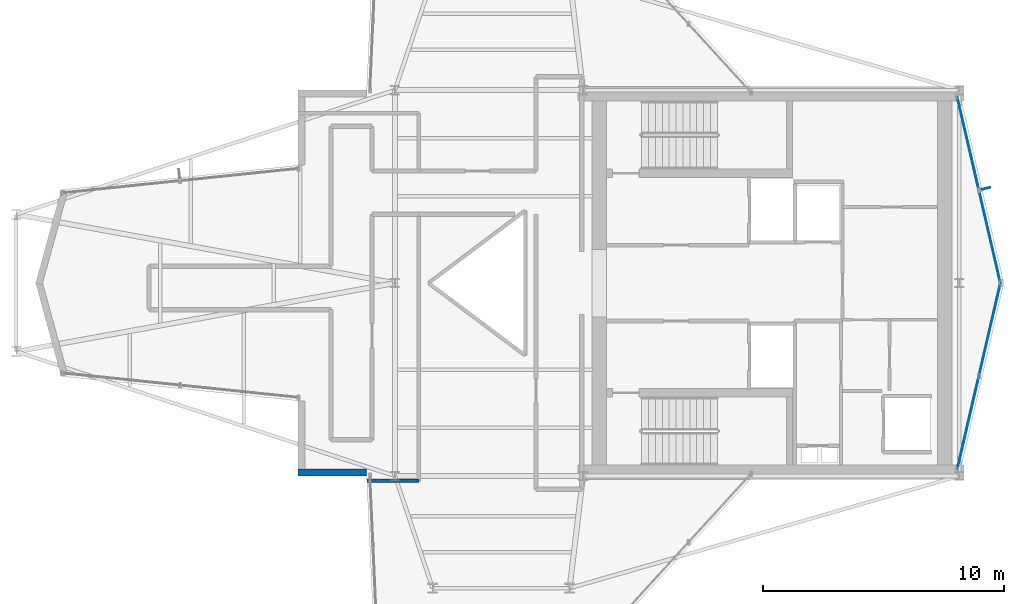
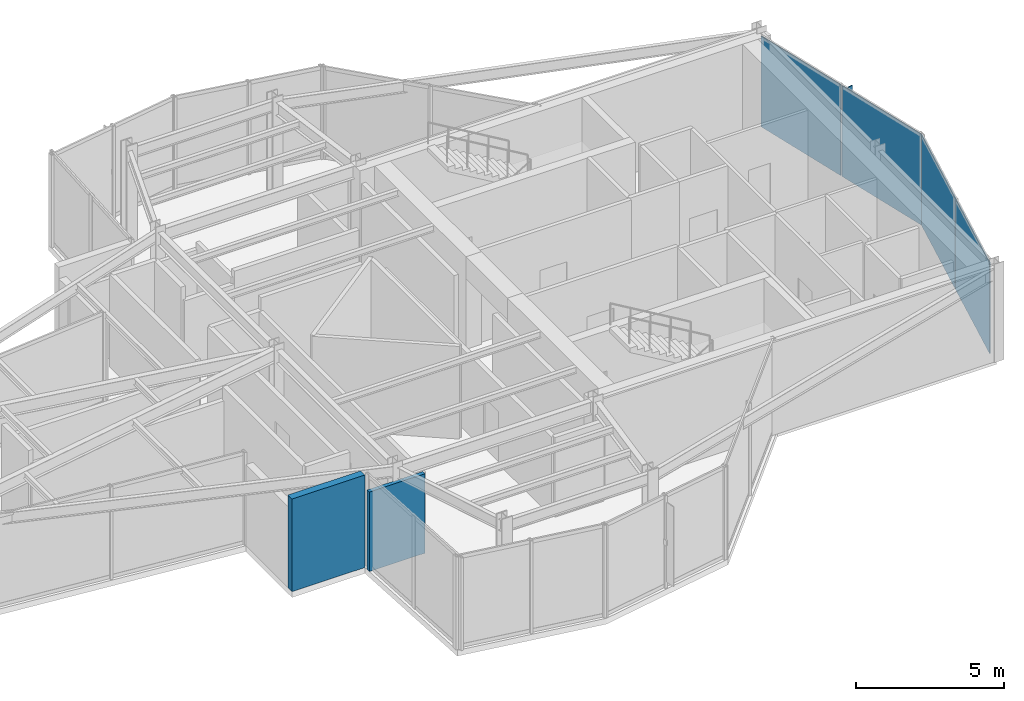
# One storey, part 11 of 14: 5 plates, 2 walls, 2 elements without a shape of their own.
"""IFC4 building model written with IfcOpenShell, lengths in metres."""

import ifcopenshell
import ifcopenshell.guid

model = None  # the IFC model being written
_history = None  # IfcOwnerHistory: only IFC2X3 demands one
_inside = {}  # id of a spatial element -> (the spatial element, [elements in it])
_under = {}  # id of a project, library or spatial element -> (it, [spatial elements below it])
_declared = {}  # id of a project -> (the project, [libraries it declares])
_typed = {}  # id of a type object -> (the type object, [elements of that type])
_made_of = {}  # id of a material, layer set ... -> (it, [elements and type objects made of it])


def new_model(schema):
    """Start an empty IFC model of exactly this schema.

    Asked for "IFC4X3", IfcOpenShell would pick the latest addendum, in which some entities
    have other attributes; the version numbers below select the first issue.
    IFC2X3 requires an IfcOwnerHistory on every rooted entity: one is made here for all.
    """
    global model, _history
    if schema == "IFC4X3":
        model = ifcopenshell.file(schema_version=(4, 3, 0, 0))
    else:
        model = ifcopenshell.file(schema=schema)
    _inside.clear()
    _under.clear()
    _declared.clear()
    _typed.clear()
    _made_of.clear()
    _history = None
    if model.schema == "IFC2X3":
        org = make("IfcOrganization", Name="unknown")
        user = make(
            "IfcPersonAndOrganization",
            ThePerson=make("IfcPerson", FamilyName="unknown"),
            TheOrganization=org,
        )
        app = make(
            "IfcApplication",
            ApplicationDeveloper=org,
            Version="unknown",
            ApplicationFullName="unknown",
            ApplicationIdentifier="unknown",
        )
        _history = make(
            "IfcOwnerHistory",
            OwningUser=user,
            OwningApplication=app,
            ChangeAction="ADDED",
            CreationDate=0,
        )
    return model


def make(cls, **values):
    """One entity of the class cls with the attributes given. An attribute that is None is left unset."""
    return model.create_entity(
        cls, **{name: value for name, value in values.items() if value is not None}
    )


def rooted(cls, **values):
    """An entity with a GlobalId (a new one), such as an element, a storey or a relation."""
    return make(cls, GlobalId=ifcopenshell.guid.new(), OwnerHistory=_history, **values)


def si_unit(unit_type, name, prefix=None):
    """IfcSIUnit, for example si_unit("LENGTHUNIT", "METRE", prefix="MILLI")."""
    return make("IfcSIUnit", UnitType=unit_type, Prefix=prefix, Name=name)


def assignment(units):
    """IfcUnitAssignment: the units of a project."""
    return None if units is None else make("IfcUnitAssignment", Units=units)


def point(xyz):
    """IfcCartesianPoint."""
    return None if xyz is None else make("IfcCartesianPoint", Coordinates=xyz)


def direction(xyz):
    """IfcDirection."""
    return None if xyz is None else make("IfcDirection", DirectionRatios=xyz)


def frame(location, z_axis=None, x_axis=None):
    """IfcAxis2Placement3D, a coordinate frame: its origin and axes. An axis left out is left unset."""
    return make(
        "IfcAxis2Placement3D",
        Location=point(location),
        Axis=direction(z_axis),
        RefDirection=direction(x_axis),
    )


def frame_2d(location, x_axis=None):
    """IfcAxis2Placement2D, a coordinate frame in the plane: its origin and x axis."""
    return make(
        "IfcAxis2Placement2D", Location=point(location), RefDirection=direction(x_axis)
    )


def origin():
    """The frame at (0, 0, 0) with its axes left unset."""
    return frame((0.0, 0.0, 0.0))


def origin_2d():
    """The frame at (0, 0) in the plane with its x axis left unset."""
    return frame_2d((0.0, 0.0))


def place(relative_to, where):
    """IfcLocalPlacement: puts the frame where relative to a parent placement (None: the world)."""
    return make(
        "IfcLocalPlacement", PlacementRelTo=relative_to, RelativePlacement=where
    )


def context(
    kind, dimensions, precision=None, world=None, true_north=None, identifier=None
):
    """IfcGeometricRepresentationContext, for example the 3D "Model" context."""
    return make(
        "IfcGeometricRepresentationContext",
        ContextIdentifier=identifier,
        ContextType=kind,
        CoordinateSpaceDimension=dimensions,
        Precision=precision,
        WorldCoordinateSystem=world,
        TrueNorth=true_north,
    )


def subcontext(parent, identifier, kind, view, scale=None):
    """IfcGeometricRepresentationSubContext, for example "Body" below "Model"."""
    return make(
        "IfcGeometricRepresentationSubContext",
        ContextIdentifier=identifier,
        ContextType=kind,
        ParentContext=parent,
        TargetScale=scale,
        TargetView=view,
    )


def project(units=None, contexts=None):
    """IfcProject with its units and contexts."""
    return rooted(
        "IfcProject",
        Name="project",
        RepresentationContexts=contexts,
        UnitsInContext=assignment(units),
    )


def spatial(cls, under=None, at=None, **own):
    """A site, building, storey or space (cls), placed at a placement, below another one or the project."""
    s = rooted(cls, ObjectPlacement=at, **own)
    if under is not None:
        _under.setdefault(under.id(), (under, []))[1].append(s)
    return s


def profile(cls, at=None, kind="AREA", **sizes):
    """A parametric profile (cls). Its sizes go by their IFC names, for example OverallWidth=200.0."""
    return make(cls, ProfileType=kind, Position=at, **sizes)


def rectangle(**sizes):
    """IfcRectangleProfileDef."""
    return profile("IfcRectangleProfileDef", **sizes)


def extrude(swept, where, along, depth):
    """IfcExtrudedAreaSolid: the profile swept, set in the frame where, extruded along a direction by depth."""
    return make(
        "IfcExtrudedAreaSolid",
        SweptArea=swept,
        Position=where,
        ExtrudedDirection=direction(along),
        Depth=depth,
    )


def shape(context_of_items, identifier, shape_type, items):
    """IfcShapeRepresentation: the items that make up one representation, for example the "Body"."""
    return make(
        "IfcShapeRepresentation",
        ContextOfItems=context_of_items,
        RepresentationIdentifier=identifier,
        RepresentationType=shape_type,
        Items=items,
    )


def material(Name=None, Category=None):
    """IfcMaterial."""
    return make("IfcMaterial", Name=Name, Category=Category)


def layer(
    of_material, thickness, ventilated=None, Name=None, Category=None, Priority=None
):
    """IfcMaterialLayer: one layer of a wall or slab, of a material (None: an air gap)."""
    return make(
        "IfcMaterialLayer",
        Material=of_material,
        LayerThickness=thickness,
        IsVentilated=ventilated,
        Name=Name,
        Category=Category,
        Priority=Priority,
    )


def layer_set(layers, Name=None):
    """IfcMaterialLayerSet."""
    return make("IfcMaterialLayerSet", MaterialLayers=layers, LayerSetName=Name)


def made_of(thing, what):
    """Note that an element or type object is made of a material, layer set ...; save() writes the relation."""
    if what is not None:
        _made_of.setdefault(what.id(), (what, []))[1].append(thing)
    return thing


def type_object(cls, material=None, **own):
    """A type object (cls), such as IfcWallType, which elements share."""
    return made_of(rooted(cls, **own), material)


def element(
    cls,
    number,
    at=None,
    inside=None,
    cuts=None,
    type_object=None,
    material=None,
    context=None,
    identifier="Body",
    shape_type=None,
    held_by="IfcProductDefinitionShape",
    body=None,
    shapes=None,
    **own,
):
    """One element of the class cls, such as IfcWall. Its Tag is "e" and its number.

    at: its placement. inside: the storey or other place that contains it. cuts: it is an
    opening in that element (IfcRelVoidsElement). A single representation is given by context,
    identifier, shape_type and body (its items); several are given by shapes. held_by: the class
    of the entity that holds the representations. save() writes the other relations.
    """
    e = rooted(cls, Tag="e%d" % number, ObjectPlacement=at, **own)
    if body is not None:
        shapes = [shape(context, identifier, shape_type, body)]
    if shapes is not None:
        e.Representation = make(held_by, Representations=shapes)
    if inside is not None:
        _inside.setdefault(inside.id(), (inside, []))[1].append(e)
    if cuts is not None:
        rooted(
            "IfcRelVoidsElement", RelatingBuildingElement=cuts, RelatedOpeningElement=e
        )
    if type_object is not None:
        _typed.setdefault(type_object.id(), (type_object, []))[1].append(e)
    return made_of(e, material)


def aggregate(whole, parts):
    """IfcRelAggregates: a whole, such as a stair, and the parts it consists of."""
    return rooted("IfcRelAggregates", RelatingObject=whole, RelatedObjects=parts)


def save(model, path):
    """Write the relations noted so far, then the file.

    IfcRelAggregates (storeys below a building ...), IfcRelContainedInSpatialStructure (elements
    in a storey), IfcRelDefinesByType, IfcRelAssociatesMaterial and IfcRelDeclares: one each for
    every whole, place, type object, material and project.
    """
    for whole, parts in _under.values():
        aggregate(whole, parts)
    for where, things in _inside.values():
        rooted(
            "IfcRelContainedInSpatialStructure",
            RelatedElements=things,
            RelatingStructure=where,
        )
    for kind, things in _typed.values():
        rooted("IfcRelDefinesByType", RelatedObjects=things, RelatingType=kind)
    for what, things in _made_of.values():
        rooted("IfcRelAssociatesMaterial", RelatedObjects=things, RelatingMaterial=what)
    for by, libraries in _declared.values():
        rooted("IfcRelDeclares", RelatingContext=by, RelatedDefinitions=libraries)
    model.write(path)


model = new_model("IFC4")

# Units and contexts
model_context = context("Model", 3, precision=1e-05, world=origin(), true_north=direction((0.0, 1.0)))
body_context = subcontext(model_context, "Body", "Model", "MODEL_VIEW")
ifc_project = project(units=[si_unit("LENGTHUNIT", "METRE"), si_unit("AREAUNIT", "SQUARE_METRE"), si_unit("VOLUMEUNIT", "CUBIC_METRE"), si_unit("PLANEANGLEUNIT", "RADIAN"), si_unit("MASSUNIT", "GRAM", prefix="KILO")], contexts=[model_context])

# Site, building, storey
site_placement = place(None, origin())
site = spatial("IfcSite", under=ifc_project, at=site_placement, CompositionType="ELEMENT")
building_placement = place(site_placement, origin())
building = spatial("IfcBuilding", under=site, at=building_placement, Name="Veymaron Broadcast Tower", CompositionType="ELEMENT")
storey_placement = place(building_placement, frame((0.0, 0.0, 283.050048828125)))
storey = spatial("IfcBuildingStorey", under=building, at=storey_placement, Name="L66", CompositionType="ELEMENT", Elevation=283.050048828125)

# Curtain wall, plates
ifc_material_1 = material(Name="Anodised aluminium AA 6063-T6 and laminated low-E dark glass", Category="aluminium")
ifc_layer_1 = layer(ifc_material_1, 0.179931640625)
ifc_layer_set_1 = layer_set([ifc_layer_1], Name="Anodised aluminium AA 6063-T6 and laminated low-E dark glass")
curtain_wall_type = type_object("IfcCurtainWallType", Name="CW-SYS-06", PredefinedType="NOTDEFINED", material=ifc_layer_set_1)
curtain_wall_1_placement = place(storey_placement, origin())
curtain_wall_1 = element("IfcCurtainWall", 1, at=curtain_wall_1_placement, inside=storey, type_object=curtain_wall_type, Name="L66 dark-glass curtain wall CW-L66-E2-1", PredefinedType="NOTDEFINED")
ifc_material_2 = material(Name="Insulated dark-anodised aluminium spandrel panel 40 mm", Category="aluminium")
ifc_layer_2 = layer(ifc_material_2, 0.0400390625)
ifc_layer_set_2 = layer_set([ifc_layer_2], Name="Insulated dark-anodised aluminium spandrel panel 40 mm")
plate_type_1 = type_object("IfcPlateType", Name="CW-PNL-03", PredefinedType="CURTAIN_PANEL", material=ifc_layer_set_2)
plate_1_placement = place(storey_placement, frame((54.96826171875, 18.20654296875, 0.0400390625), z_axis=(0.0, 0.0, 1.0), x_axis=(0.226039295589, 0.974118184231, 0.0)))
plate_1 = element("IfcPlate", 2, at=plate_1_placement, type_object=plate_type_1, Name="CW-L66-E2-1 unitised curtain panel 0", PredefinedType="CURTAIN_PANEL", context=body_context, shape_type="SweptSolid", body=[
    extrude(rectangle(XDim=3.926513671875, YDim=0.0400390625, at=origin_2d()), origin(), (0.0, 0.0, 1.0), 3.72998046875),
])
plate_2_placement = place(storey_placement, frame((55.869384765625, 22.08984375, 0.0400390625), z_axis=(0.0, 0.0, 1.0), x_axis=(0.226039295589, 0.974118184231, 0.0)))
plate_2 = element("IfcPlate", 3, at=plate_2_placement, type_object=plate_type_1, Name="CW-L66-E2-1 unitised curtain panel 1", PredefinedType="CURTAIN_PANEL", context=body_context, shape_type="SweptSolid", body=[
    extrude(rectangle(XDim=3.926513671875, YDim=0.0400390625, at=origin_2d()), origin(), (0.0, 0.0, 1.0), 3.72998046875),
])
aggregate(curtain_wall_1, [plate_1, plate_2])

curtain_wall_2_placement = place(storey_placement, origin())
curtain_wall_2 = element("IfcCurtainWall", 4, at=curtain_wall_2_placement, inside=storey, type_object=curtain_wall_type, Name="L66 dark-glass curtain wall CW-L66-E3-1", PredefinedType="NOTDEFINED")
plate_3_placement = place(storey_placement, frame((55.869384765625, 25.91015625, 0.0400390625), z_axis=(0.0, 0.0, 1.0), x_axis=(-0.226039295589, 0.974118184231, 0.0)))
plate_3 = element("IfcPlate", 5, at=plate_3_placement, type_object=plate_type_1, Name="CW-L66-E3-1 unitised curtain panel 0", PredefinedType="CURTAIN_PANEL", context=body_context, shape_type="SweptSolid", body=[
    extrude(rectangle(XDim=3.926513671875, YDim=0.0400390625, at=origin_2d()), origin(), (0.0, 0.0, 1.0), 3.72998046875),
])
plate_4_placement = place(storey_placement, frame((54.96826171875, 29.79345703125, 0.0400390625), z_axis=(0.0, 0.0, 1.0), x_axis=(-0.226039295589, 0.974118184231, 0.0)))
plate_4 = element("IfcPlate", 6, at=plate_4_placement, type_object=plate_type_1, Name="CW-L66-E3-1 unitised curtain panel 1", PredefinedType="CURTAIN_PANEL", context=body_context, shape_type="SweptSolid", body=[
    extrude(rectangle(XDim=3.926513671875, YDim=0.0400390625, at=origin_2d()), origin(), (0.0, 0.0, 1.0), 3.72998046875),
])
aggregate(curtain_wall_2, [plate_3, plate_4])

# Plate
ifc_material_3 = material(Name="Dark-anodised aluminium AA 6061-T6", Category="aluminium")
ifc_layer_3 = layer(ifc_material_3, 0.030029296875)
ifc_layer_set_3 = layer_set([ifc_layer_3], Name="Dark-anodised aluminium AA 6061-T6")
plate_type_2 = type_object("IfcPlateType", Name="FIN-CHEV-02", PredefinedType="USERDEFINED", material=ifc_layer_set_3)
plate_5_placement = place(storey_placement, frame((55.7158203125, 27.920654296875, 0.2666015625), z_axis=(0.0, 0.0, 1.0), x_axis=(0.974118184231, 0.226039295589, 0.0)))
element("IfcPlate", 7, at=plate_5_placement, inside=storey, type_object=plate_type_2, Name="CW-L66-E3-1 chevron fin 1", ObjectType="FIN", PredefinedType="USERDEFINED", context=body_context, shape_type="SweptSolid", body=[
    extrude(rectangle(XDim=0.35009765625, YDim=0.034912109375, at=origin_2d()), origin(), (0.0, 0.0, 1.0), 3.276611328125),
])

# Walls
ifc_material_4 = material(Name="Precast concrete C40/50", Category="concrete")
ifc_layer_4 = layer(ifc_material_4, 0.280029296875)
ifc_layer_set_4 = layer_set([ifc_layer_4], Name="Precast concrete C40/50")
wall_type_1 = type_object("IfcWallType", Name="WALL-EXT-280", PredefinedType="STANDARD", material=ifc_layer_set_4)
wall_1_placement = place(storey_placement, frame((27.185546875, 16.139892578125, 0.0), z_axis=(0.0, 0.0, 1.0), x_axis=(1.0, 0.0, 0.0)))
element("IfcWall", 8, at=wall_1_placement, inside=storey, type_object=wall_type_1, Name="L66 notched corner facade pier 16-1", PredefinedType="STANDARD", context=body_context, shape_type="SweptSolid", body=[
    extrude(rectangle(XDim=2.83642578125, YDim=0.280029296875, at=frame_2d((1.418212890625, 0.0))), origin(), (0.0, 0.0, 1.0), 3.81005859375),
])
ifc_material_5 = material(Name="Fire-rated laminated glass in aluminium frame", Category="aluminium")
ifc_layer_5 = layer(ifc_material_5, 0.14990234375)
ifc_layer_set_5 = layer_set([ifc_layer_5], Name="Fire-rated laminated glass in aluminium frame")
wall_type_2 = type_object("IfcWallType", Name="WALL-GLZ-150", PredefinedType="MOVABLE", material=ifc_layer_set_5)
wall_2_placement = place(storey_placement, frame((30.031494140625, 15.7939453125, 0.0), z_axis=(0.0, 0.0, 1.0), x_axis=(1.0, 0.0, 0.0)))
element("IfcWall", 9, at=wall_2_placement, inside=storey, type_object=wall_type_2, Name="L66 partition IW-L66-P21", PredefinedType="MOVABLE", context=body_context, shape_type="SweptSolid", body=[
    extrude(rectangle(XDim=2.16259765625, YDim=0.14990234375, at=frame_2d((1.081298828125, 0.0))), origin(), (0.0, 0.0, 1.0), 3.27001953125),
])

save(model, "model.ifc")
